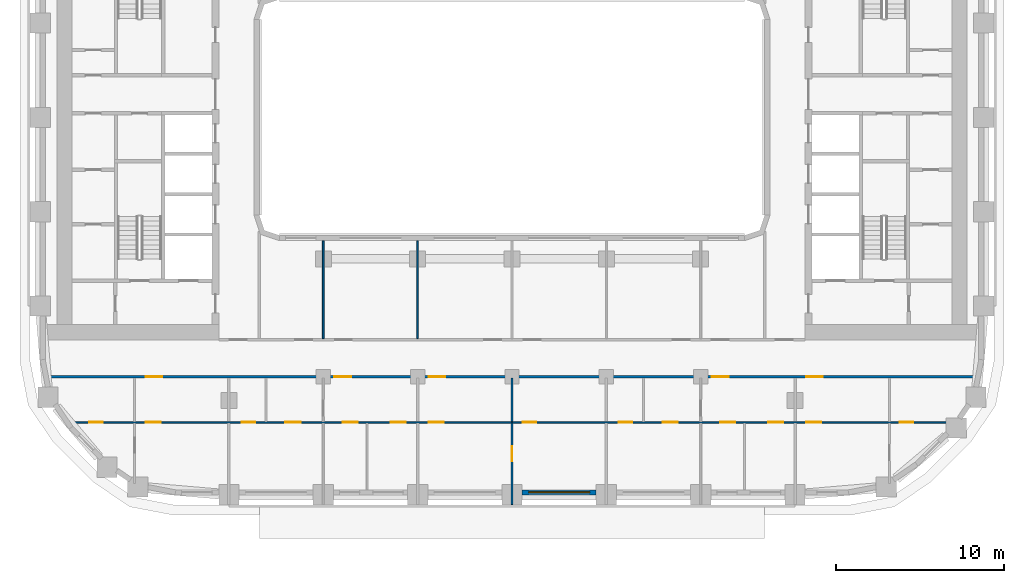
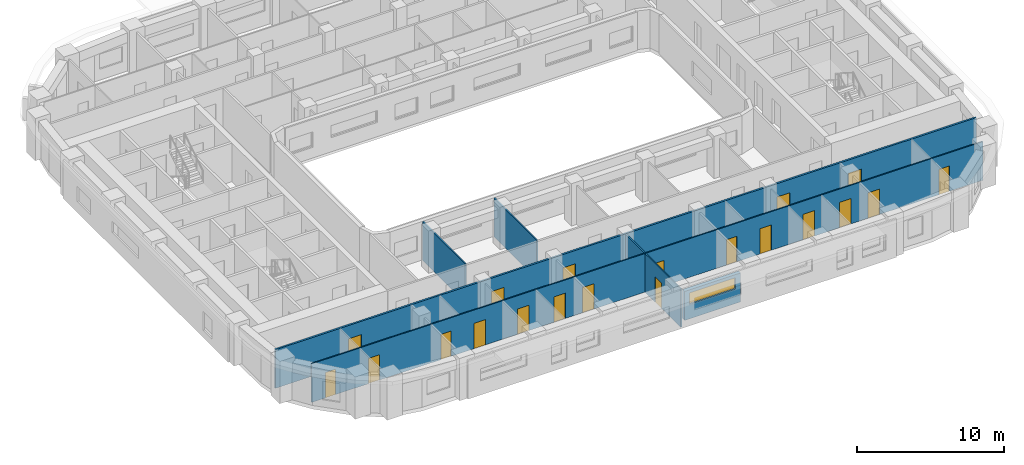
# One storey, part 3 of 21: 20 doors, 7 walls, 1 window, 21 openings.
"""IFC4 building model written with IfcOpenShell, lengths in metres."""

from ifc_helpers import new_model, si_unit, direction, frame, frame_2d, origin, place, context, subcontext, project, spatial, rectangle, extrude, material, layer, layer_set, type_object, element, fill, save


model = new_model("IFC4")

# Units and contexts
model_context = context("Model", 3, precision=1e-05, world=origin(), true_north=direction((0.0, 1.0)))
body_context = subcontext(model_context, "Body", "Model", "MODEL_VIEW")
ifc_project = project(units=[si_unit("LENGTHUNIT", "METRE"), si_unit("AREAUNIT", "SQUARE_METRE"), si_unit("VOLUMEUNIT", "CUBIC_METRE"), si_unit("PLANEANGLEUNIT", "RADIAN"), si_unit("MASSUNIT", "GRAM", prefix="KILO")], contexts=[model_context])

# Site, building, storey
site_placement = place(None, origin())
site = spatial("IfcSite", under=ifc_project, at=site_placement, CompositionType="ELEMENT")
building_placement = place(site_placement, origin())
building = spatial("IfcBuilding", under=site, at=building_placement, Name="Kiln Ring Residences", CompositionType="ELEMENT")
storey_placement = place(building_placement, frame((0.0, 0.0, 114.800048828125)))
storey = spatial("IfcBuildingStorey", under=building, at=storey_placement, Name="L29", CompositionType="ELEMENT", Elevation=114.800048828125)

# Wall, opening, window
ifc_material_1 = material(Name="Brick masonry, dark clay brick", Category="masonry")
ifc_layer_1 = layer(ifc_material_1, 0.300048828125)
ifc_layer_set_1 = layer_set([ifc_layer_1], Name="EW-300 BRICK WALL")
wall_type_1 = type_object("IfcWallType", Name="EW-300 BRICK WALL", PredefinedType="SOLIDWALL", material=ifc_layer_set_1)
wall_1_placement = place(storey_placement, frame((0.60009765625, -22.25, 0.0), z_axis=(0.0, 0.0, 1.0), x_axis=(1.0, 0.0, 0.0)))
wall_1 = element("IfcWall", 1, at=wall_1_placement, inside=storey, type_object=wall_type_1, Name="Facade wall L29 8", PredefinedType="SOLIDWALL", context=body_context, shape_type="SweptSolid", body=[
    extrude(rectangle(XDim=4.39990234375, YDim=0.300048828125, at=frame_2d((2.199951171875, 0.0))), origin(), (0.0, 0.0, 1.0), 2.39990234375),
])
opening_1_placement = place(wall_1_placement, frame((0.39990234375, 0.0, 1.199951171875)))
opening_1 = element("IfcOpeningElement", 2, at=opening_1_placement, cuts=wall_1, Name="Opening W4", PredefinedType="OPENING", context=body_context, shape_type="SweptSolid", body=[
    extrude(rectangle(XDim=3.60009765625, YDim=0.949951171875, at=frame_2d((1.800048828125, 0.47509765625))), frame((0.0, 0.159912109375, 0.0), z_axis=(0.0, -1.0, 0.0), x_axis=(1.0, 0.0, 0.0)), (0.0, 0.0, 1.0), 0.320068359375),
])
ifc_material_2 = material(Name="Aluminium frame with double glazing", Category="aluminium")
window_type = type_object("IfcWindowType", Name="WINDOW 3600 x 950", PartitioningType="SINGLE_PANEL", PredefinedType="WINDOW", material=ifc_material_2)
window_placement = place(opening_1_placement, origin())
window = element("IfcWindow", 3, at=window_placement, inside=storey, type_object=window_type, Name="Window L29 7", OverallHeight=0.949951171875, OverallWidth=3.60009765625, PartitioningType="SINGLE_PANEL", PredefinedType="WINDOW", context=body_context, shape_type="SweptSolid", body=[
    extrude(rectangle(XDim=3.60009765625, YDim=0.949951171875, at=frame_2d((1.800048828125, 0.47509765625))), frame((0.0, 0.030029296875, 0.0), z_axis=(0.0, -1.0, 0.0), x_axis=(1.0, 0.0, 0.0)), (0.0, 0.0, 1.0), 0.06005859375),
])
fill(opening_1, window)

# Wall, openings, doors
ifc_material_3 = material(Name="Gypsum board on steel studs", Category="steel")
ifc_layer_2 = layer(ifc_material_3, 0.10009765625)
ifc_layer_set_2 = layer_set([ifc_layer_2], Name="PARTITION-100")
wall_type_2 = type_object("IfcWallType", Name="PARTITION-100", PredefinedType="PARTITIONING", material=ifc_layer_set_2)
wall_2_placement = place(storey_placement, frame((-26.190185546875, -18.10009765625, 0.0), z_axis=(0.0, 0.0, 1.0), x_axis=(1.0, 0.0, 0.0)))
wall_2 = element("IfcWall", 4, at=wall_2_placement, inside=storey, type_object=wall_type_2, Name="Partition 000", PredefinedType="PARTITIONING", context=body_context, shape_type="SweptSolid", body=[
    extrude(rectangle(XDim=52.630126953125, YDim=0.10009765625, at=frame_2d((26.31494140625, 0.0))), origin(), (0.0, 0.0, 1.0), 3.199951171875),
])
opening_2_placement = place(wall_2_placement, frame((1.090087890625, 0.0, 0.0)))
opening_2 = element("IfcOpeningElement", 5, at=opening_2_placement, cuts=wall_2, Name="Opening L29-D050", PredefinedType="OPENING", context=body_context, shape_type="SweptSolid", body=[
    extrude(rectangle(XDim=0.800048828125, YDim=2.10009765625, at=frame_2d((0.39990234375, 1.050048828125))), frame((0.0, 0.06005859375, 0.0), z_axis=(0.0, -1.0, 0.0), x_axis=(1.0, 0.0, 0.0)), (0.0, 0.0, 1.0), 0.1201171875),
])
opening_3_placement = place(wall_2_placement, frame((4.440185546875, 0.0, 0.0)))
opening_3 = element("IfcOpeningElement", 6, at=opening_3_placement, cuts=wall_2, Name="Opening L29-D051", PredefinedType="OPENING", context=body_context, shape_type="SweptSolid", body=[
    extrude(rectangle(XDim=0.89990234375, YDim=2.10009765625, at=frame_2d((0.449951171875, 1.050048828125))), frame((0.0, 0.06005859375, 0.0), z_axis=(0.0, -1.0, 0.0), x_axis=(1.0, 0.0, 0.0)), (0.0, 0.0, 1.0), 0.1201171875),
])
opening_4_placement = place(wall_2_placement, frame((10.14013671875, 0.0, 0.0)))
opening_4 = element("IfcOpeningElement", 7, at=opening_4_placement, cuts=wall_2, Name="Opening L29-D055", PredefinedType="OPENING", context=body_context, shape_type="SweptSolid", body=[
    extrude(rectangle(XDim=0.800048828125, YDim=2.10009765625, at=frame_2d((0.39990234375, 1.050048828125))), frame((0.0, 0.06005859375, 0.0), z_axis=(0.0, -1.0, 0.0), x_axis=(1.0, 0.0, 0.0)), (0.0, 0.0, 1.0), 0.1201171875),
])
opening_5_placement = place(wall_2_placement, frame((12.739990234375, 0.0, 0.0)))
opening_5 = element("IfcOpeningElement", 8, at=opening_5_placement, cuts=wall_2, Name="Opening L29-D056", PredefinedType="OPENING", context=body_context, shape_type="SweptSolid", body=[
    extrude(rectangle(XDim=0.89990234375, YDim=2.10009765625, at=frame_2d((0.449951171875, 1.050048828125))), frame((0.0, 0.06005859375, 0.0), z_axis=(0.0, -1.0, 0.0), x_axis=(1.0, 0.0, 0.0)), (0.0, 0.0, 1.0), 0.1201171875),
])
opening_6_placement = place(wall_2_placement, frame((16.14013671875, 0.0, 0.0)))
opening_6 = element("IfcOpeningElement", 9, at=opening_6_placement, cuts=wall_2, Name="Opening L29-D057", PredefinedType="OPENING", context=body_context, shape_type="SweptSolid", body=[
    extrude(rectangle(XDim=0.89990234375, YDim=2.10009765625, at=frame_2d((0.449951171875, 1.050048828125))), frame((0.0, 0.06005859375, 0.0), z_axis=(0.0, -1.0, 0.0), x_axis=(1.0, 0.0, 0.0)), (0.0, 0.0, 1.0), 0.1201171875),
])
opening_7_placement = place(wall_2_placement, frame((18.989990234375, 0.0, 0.0)))
opening_7 = element("IfcOpeningElement", 10, at=opening_7_placement, cuts=wall_2, Name="Opening L29-D058", PredefinedType="OPENING", context=body_context, shape_type="SweptSolid", body=[
    extrude(rectangle(XDim=0.89990234375, YDim=2.10009765625, at=frame_2d((0.449951171875, 1.050048828125))), frame((0.0, 0.06005859375, 0.0), z_axis=(0.0, -1.0, 0.0), x_axis=(1.0, 0.0, 0.0)), (0.0, 0.0, 1.0), 0.1201171875),
])
opening_8_placement = place(wall_2_placement, frame((26.840087890625, 0.0, 0.0)))
opening_8 = element("IfcOpeningElement", 11, at=opening_8_placement, cuts=wall_2, Name="Opening L29-D060", PredefinedType="OPENING", context=body_context, shape_type="SweptSolid", body=[
    extrude(rectangle(XDim=0.800048828125, YDim=2.10009765625, at=frame_2d((0.39990234375, 1.050048828125))), frame((0.0, 0.06005859375, 0.0), z_axis=(0.0, -1.0, 0.0), x_axis=(1.0, 0.0, 0.0)), (0.0, 0.0, 1.0), 0.1201171875),
])
opening_9_placement = place(wall_2_placement, frame((21.239990234375, 0.0, 0.0)))
opening_9 = element("IfcOpeningElement", 12, at=opening_9_placement, cuts=wall_2, Name="Opening L29-D061", PredefinedType="OPENING", context=body_context, shape_type="SweptSolid", body=[
    extrude(rectangle(XDim=0.89990234375, YDim=2.10009765625, at=frame_2d((0.449951171875, 1.050048828125))), frame((0.0, 0.06005859375, 0.0), z_axis=(0.0, -1.0, 0.0), x_axis=(1.0, 0.0, 0.0)), (0.0, 0.0, 1.0), 0.1201171875),
])
opening_10_placement = place(wall_2_placement, frame((32.5400390625, 0.0, 0.0)))
opening_10 = element("IfcOpeningElement", 13, at=opening_10_placement, cuts=wall_2, Name="Opening L29-D065", PredefinedType="OPENING", context=body_context, shape_type="SweptSolid", body=[
    extrude(rectangle(XDim=0.800048828125, YDim=2.10009765625, at=frame_2d((0.39990234375, 1.050048828125))), frame((0.0, 0.06005859375, 0.0), z_axis=(0.0, -1.0, 0.0), x_axis=(1.0, 0.0, 0.0)), (0.0, 0.0, 1.0), 0.1201171875),
])
opening_11_placement = place(wall_2_placement, frame((35.14013671875, 0.0, 0.0)))
opening_11 = element("IfcOpeningElement", 14, at=opening_11_placement, cuts=wall_2, Name="Opening L29-D066", PredefinedType="OPENING", context=body_context, shape_type="SweptSolid", body=[
    extrude(rectangle(XDim=0.89990234375, YDim=2.10009765625, at=frame_2d((0.449951171875, 1.050048828125))), frame((0.0, 0.06005859375, 0.0), z_axis=(0.0, -1.0, 0.0), x_axis=(1.0, 0.0, 0.0)), (0.0, 0.0, 1.0), 0.1201171875),
])
opening_12_placement = place(wall_2_placement, frame((38.5400390625, 0.0, 0.0)))
opening_12 = element("IfcOpeningElement", 15, at=opening_12_placement, cuts=wall_2, Name="Opening L29-D067", PredefinedType="OPENING", context=body_context, shape_type="SweptSolid", body=[
    extrude(rectangle(XDim=0.89990234375, YDim=2.10009765625, at=frame_2d((0.449951171875, 1.050048828125))), frame((0.0, 0.06005859375, 0.0), z_axis=(0.0, -1.0, 0.0), x_axis=(1.0, 0.0, 0.0)), (0.0, 0.0, 1.0), 0.1201171875),
])
opening_13_placement = place(wall_2_placement, frame((41.39013671875, 0.0, 0.0)))
opening_13 = element("IfcOpeningElement", 16, at=opening_13_placement, cuts=wall_2, Name="Opening L29-D068", PredefinedType="OPENING", context=body_context, shape_type="SweptSolid", body=[
    extrude(rectangle(XDim=0.89990234375, YDim=2.10009765625, at=frame_2d((0.449951171875, 1.050048828125))), frame((0.0, 0.06005859375, 0.0), z_axis=(0.0, -1.0, 0.0), x_axis=(1.0, 0.0, 0.0)), (0.0, 0.0, 1.0), 0.1201171875),
])
opening_14_placement = place(wall_2_placement, frame((49.2041015625, 0.0, 0.0)))
opening_14 = element("IfcOpeningElement", 17, at=opening_14_placement, cuts=wall_2, Name="Opening L29-D070", PredefinedType="OPENING", context=body_context, shape_type="SweptSolid", body=[
    extrude(rectangle(XDim=0.800048828125, YDim=2.10009765625, at=frame_2d((0.39990234375, 1.050048828125))), frame((0.0, 0.06005859375, 0.0), z_axis=(0.0, -1.0, 0.0), x_axis=(1.0, 0.0, 0.0)), (0.0, 0.0, 1.0), 0.1201171875),
])
opening_15_placement = place(wall_2_placement, frame((43.64013671875, 0.0, 0.0)))
opening_15 = element("IfcOpeningElement", 18, at=opening_15_placement, cuts=wall_2, Name="Opening L29-D071", PredefinedType="OPENING", context=body_context, shape_type="SweptSolid", body=[
    extrude(rectangle(XDim=0.89990234375, YDim=2.10009765625, at=frame_2d((0.449951171875, 1.050048828125))), frame((0.0, 0.06005859375, 0.0), z_axis=(0.0, -1.0, 0.0), x_axis=(1.0, 0.0, 0.0)), (0.0, 0.0, 1.0), 0.1201171875),
])
ifc_material_4 = material(Name="Timber door leaf", Category="wood")
door_type_1 = type_object("IfcDoorType", Name="FLAT-DOOR-800-PL", OperationType="SINGLE_SWING_LEFT", PredefinedType="DOOR", material=ifc_material_4)
door_1_placement = place(opening_2_placement, origin())
door_1 = element("IfcDoor", 19, at=door_1_placement, inside=storey, type_object=door_type_1, Name="Door L29-D050", OperationType="SINGLE_SWING_RIGHT", OverallHeight=2.10009765625, OverallWidth=0.800048828125, PredefinedType="DOOR", context=body_context, shape_type="SweptSolid", body=[
    extrude(rectangle(XDim=0.800048828125, YDim=2.10009765625, at=frame_2d((0.39990234375, 1.050048828125))), frame((0.0, 0.02490234375, 0.0), z_axis=(0.0, -1.0, 0.0), x_axis=(1.0, 0.0, 0.0)), (0.0, 0.0, 1.0), 0.050048828125),
])
fill(opening_2, door_1)
door_2_placement = place(opening_4_placement, origin())
door_2 = element("IfcDoor", 20, at=door_2_placement, inside=storey, type_object=door_type_1, Name="Door L29-D055", OperationType="SINGLE_SWING_LEFT", OverallHeight=2.10009765625, OverallWidth=0.800048828125, PredefinedType="DOOR", context=body_context, shape_type="SweptSolid", body=[
    extrude(rectangle(XDim=0.800048828125, YDim=2.10009765625, at=frame_2d((0.39990234375, 1.050048828125))), frame((0.0, 0.02490234375, 0.0), z_axis=(0.0, -1.0, 0.0), x_axis=(1.0, 0.0, 0.0)), (0.0, 0.0, 1.0), 0.050048828125),
])
fill(opening_4, door_2)
door_3_placement = place(opening_8_placement, origin())
door_3 = element("IfcDoor", 21, at=door_3_placement, inside=storey, type_object=door_type_1, Name="Door L29-D060", OperationType="SINGLE_SWING_RIGHT", OverallHeight=2.10009765625, OverallWidth=0.800048828125, PredefinedType="DOOR", context=body_context, shape_type="SweptSolid", body=[
    extrude(rectangle(XDim=0.800048828125, YDim=2.10009765625, at=frame_2d((0.39990234375, 1.050048828125))), frame((0.0, 0.02490234375, 0.0), z_axis=(0.0, -1.0, 0.0), x_axis=(1.0, 0.0, 0.0)), (0.0, 0.0, 1.0), 0.050048828125),
])
fill(opening_8, door_3)
door_4_placement = place(opening_10_placement, origin())
door_4 = element("IfcDoor", 22, at=door_4_placement, inside=storey, type_object=door_type_1, Name="Door L29-D065", OperationType="SINGLE_SWING_LEFT", OverallHeight=2.10009765625, OverallWidth=0.800048828125, PredefinedType="DOOR", context=body_context, shape_type="SweptSolid", body=[
    extrude(rectangle(XDim=0.800048828125, YDim=2.10009765625, at=frame_2d((0.39990234375, 1.050048828125))), frame((0.0, 0.02490234375, 0.0), z_axis=(0.0, -1.0, 0.0), x_axis=(1.0, 0.0, 0.0)), (0.0, 0.0, 1.0), 0.050048828125),
])
fill(opening_10, door_4)
door_5_placement = place(opening_14_placement, origin())
door_5 = element("IfcDoor", 23, at=door_5_placement, inside=storey, type_object=door_type_1, Name="Door L29-D070", OperationType="SINGLE_SWING_RIGHT", OverallHeight=2.10009765625, OverallWidth=0.800048828125, PredefinedType="DOOR", context=body_context, shape_type="SweptSolid", body=[
    extrude(rectangle(XDim=0.800048828125, YDim=2.10009765625, at=frame_2d((0.39990234375, 1.050048828125))), frame((0.0, 0.02490234375, 0.0), z_axis=(0.0, -1.0, 0.0), x_axis=(1.0, 0.0, 0.0)), (0.0, 0.0, 1.0), 0.050048828125),
])
fill(opening_14, door_5)
ifc_material_5 = material(Name="Timber door leaf", Category="wood")
door_type_2 = type_object("IfcDoorType", Name="FLAT-DOOR-900-PL", OperationType="SINGLE_SWING_LEFT", PredefinedType="DOOR", material=ifc_material_5)
door_6_placement = place(opening_3_placement, origin())
door_6 = element("IfcDoor", 24, at=door_6_placement, inside=storey, type_object=door_type_2, Name="Door L29-D051", OperationType="SINGLE_SWING_LEFT", OverallHeight=2.10009765625, OverallWidth=0.89990234375, PredefinedType="DOOR", context=body_context, shape_type="SweptSolid", body=[
    extrude(rectangle(XDim=0.89990234375, YDim=2.10009765625, at=frame_2d((0.449951171875, 1.050048828125))), frame((0.0, 0.02490234375, 0.0), z_axis=(0.0, -1.0, 0.0), x_axis=(1.0, 0.0, 0.0)), (0.0, 0.0, 1.0), 0.050048828125),
])
fill(opening_3, door_6)
door_7_placement = place(opening_5_placement, origin())
door_7 = element("IfcDoor", 25, at=door_7_placement, inside=storey, type_object=door_type_2, Name="Door L29-D056", OperationType="SINGLE_SWING_RIGHT", OverallHeight=2.10009765625, OverallWidth=0.89990234375, PredefinedType="DOOR", context=body_context, shape_type="SweptSolid", body=[
    extrude(rectangle(XDim=0.89990234375, YDim=2.10009765625, at=frame_2d((0.449951171875, 1.050048828125))), frame((0.0, 0.02490234375, 0.0), z_axis=(0.0, -1.0, 0.0), x_axis=(1.0, 0.0, 0.0)), (0.0, 0.0, 1.0), 0.050048828125),
])
fill(opening_5, door_7)
door_8_placement = place(opening_6_placement, origin())
door_8 = element("IfcDoor", 26, at=door_8_placement, inside=storey, type_object=door_type_2, Name="Door L29-D057", OperationType="SINGLE_SWING_RIGHT", OverallHeight=2.10009765625, OverallWidth=0.89990234375, PredefinedType="DOOR", context=body_context, shape_type="SweptSolid", body=[
    extrude(rectangle(XDim=0.89990234375, YDim=2.10009765625, at=frame_2d((0.449951171875, 1.050048828125))), frame((0.0, 0.02490234375, 0.0), z_axis=(0.0, -1.0, 0.0), x_axis=(1.0, 0.0, 0.0)), (0.0, 0.0, 1.0), 0.050048828125),
])
fill(opening_6, door_8)
door_9_placement = place(opening_7_placement, origin())
door_9 = element("IfcDoor", 27, at=door_9_placement, inside=storey, type_object=door_type_2, Name="Door L29-D058", OperationType="SINGLE_SWING_RIGHT", OverallHeight=2.10009765625, OverallWidth=0.89990234375, PredefinedType="DOOR", context=body_context, shape_type="SweptSolid", body=[
    extrude(rectangle(XDim=0.89990234375, YDim=2.10009765625, at=frame_2d((0.449951171875, 1.050048828125))), frame((0.0, 0.02490234375, 0.0), z_axis=(0.0, -1.0, 0.0), x_axis=(1.0, 0.0, 0.0)), (0.0, 0.0, 1.0), 0.050048828125),
])
fill(opening_7, door_9)
door_10_placement = place(opening_9_placement, origin())
door_10 = element("IfcDoor", 28, at=door_10_placement, inside=storey, type_object=door_type_2, Name="Door L29-D061", OperationType="SINGLE_SWING_LEFT", OverallHeight=2.10009765625, OverallWidth=0.89990234375, PredefinedType="DOOR", context=body_context, shape_type="SweptSolid", body=[
    extrude(rectangle(XDim=0.89990234375, YDim=2.10009765625, at=frame_2d((0.449951171875, 1.050048828125))), frame((0.0, 0.02490234375, 0.0), z_axis=(0.0, -1.0, 0.0), x_axis=(1.0, 0.0, 0.0)), (0.0, 0.0, 1.0), 0.050048828125),
])
fill(opening_9, door_10)
door_11_placement = place(opening_11_placement, origin())
door_11 = element("IfcDoor", 29, at=door_11_placement, inside=storey, type_object=door_type_2, Name="Door L29-D066", OperationType="SINGLE_SWING_RIGHT", OverallHeight=2.10009765625, OverallWidth=0.89990234375, PredefinedType="DOOR", context=body_context, shape_type="SweptSolid", body=[
    extrude(rectangle(XDim=0.89990234375, YDim=2.10009765625, at=frame_2d((0.449951171875, 1.050048828125))), frame((0.0, 0.02490234375, 0.0), z_axis=(0.0, -1.0, 0.0), x_axis=(1.0, 0.0, 0.0)), (0.0, 0.0, 1.0), 0.050048828125),
])
fill(opening_11, door_11)
door_12_placement = place(opening_12_placement, origin())
door_12 = element("IfcDoor", 30, at=door_12_placement, inside=storey, type_object=door_type_2, Name="Door L29-D067", OperationType="SINGLE_SWING_RIGHT", OverallHeight=2.10009765625, OverallWidth=0.89990234375, PredefinedType="DOOR", context=body_context, shape_type="SweptSolid", body=[
    extrude(rectangle(XDim=0.89990234375, YDim=2.10009765625, at=frame_2d((0.449951171875, 1.050048828125))), frame((0.0, 0.02490234375, 0.0), z_axis=(0.0, -1.0, 0.0), x_axis=(1.0, 0.0, 0.0)), (0.0, 0.0, 1.0), 0.050048828125),
])
fill(opening_12, door_12)
door_13_placement = place(opening_13_placement, origin())
door_13 = element("IfcDoor", 31, at=door_13_placement, inside=storey, type_object=door_type_2, Name="Door L29-D068", OperationType="SINGLE_SWING_RIGHT", OverallHeight=2.10009765625, OverallWidth=0.89990234375, PredefinedType="DOOR", context=body_context, shape_type="SweptSolid", body=[
    extrude(rectangle(XDim=0.89990234375, YDim=2.10009765625, at=frame_2d((0.449951171875, 1.050048828125))), frame((0.0, 0.02490234375, 0.0), z_axis=(0.0, -1.0, 0.0), x_axis=(1.0, 0.0, 0.0)), (0.0, 0.0, 1.0), 0.050048828125),
])
fill(opening_13, door_13)
door_14_placement = place(opening_15_placement, origin())
door_14 = element("IfcDoor", 32, at=door_14_placement, inside=storey, type_object=door_type_2, Name="Door L29-D071", OperationType="SINGLE_SWING_LEFT", OverallHeight=2.10009765625, OverallWidth=0.89990234375, PredefinedType="DOOR", context=body_context, shape_type="SweptSolid", body=[
    extrude(rectangle(XDim=0.89990234375, YDim=2.10009765625, at=frame_2d((0.449951171875, 1.050048828125))), frame((0.0, 0.02490234375, 0.0), z_axis=(0.0, -1.0, 0.0), x_axis=(1.0, 0.0, 0.0)), (0.0, 0.0, 1.0), 0.050048828125),
])
fill(opening_15, door_14)

# Walls
for number, where, z_axis, x_axis, name in (
    (33, (-11.199951171875, -13.125, 0.0), (0.0, 0.0, 1.0), (0.0, 1.0, 0.0), "Partition 021"),
    (34, (-5.60009765625, -13.125, 0.0), (0.0, 0.0, 1.0), (0.0, 1.0, 0.0), "Partition 027"),
):
    element("IfcWall", number, at=place(storey_placement, frame(where, z_axis=z_axis, x_axis=x_axis)), inside=storey, type_object=wall_type_2, Name=name, PredefinedType="PARTITIONING", context=body_context, shape_type="SweptSolid", body=[
        extrude(rectangle(XDim=5.804931640625, YDim=0.10009765625, at=frame_2d((2.90234375, 0.0))), origin(), (0.0, 0.0, 1.0), 3.199951171875),
    ])

# Wall, opening, door
wall_3_placement = place(storey_placement, frame((0.0, -22.97998046875, 0.0), z_axis=(0.0, 0.0, 1.0), x_axis=(0.0, 1.0, 0.0)))
wall_3 = element("IfcWall", 35, at=wall_3_placement, inside=storey, type_object=wall_type_2, Name="Partition 035", PredefinedType="PARTITIONING", context=body_context, shape_type="SweptSolid", body=[
    extrude(rectangle(XDim=4.830078125, YDim=0.10009765625, at=frame_2d((2.4150390625, 0.0))), origin(), (0.0, 0.0, 1.0), 3.199951171875),
])
opening_16_placement = place(wall_3_placement, frame((2.570068359375, 0.0, 0.0)))
opening_16 = element("IfcOpeningElement", 36, at=opening_16_placement, cuts=wall_3, Name="Opening L29-D062", PredefinedType="OPENING", context=body_context, shape_type="SweptSolid", body=[
    extrude(rectangle(XDim=0.89990234375, YDim=2.10009765625, at=frame_2d((0.449951171875, 1.050048828125))), frame((0.0, 0.06005859375, 0.0), z_axis=(0.0, -1.0, 0.0), x_axis=(1.0, 0.0, 0.0)), (0.0, 0.0, 1.0), 0.1201171875),
])
door_15_placement = place(opening_16_placement, origin())
door_15 = element("IfcDoor", 37, at=door_15_placement, inside=storey, type_object=door_type_2, Name="Door L29-D062", OperationType="SINGLE_SWING_RIGHT", OverallHeight=2.10009765625, OverallWidth=0.89990234375, PredefinedType="DOOR", context=body_context, shape_type="SweptSolid", body=[
    extrude(rectangle(XDim=0.89990234375, YDim=2.10009765625, at=frame_2d((0.449951171875, 1.050048828125))), frame((0.0, 0.02490234375, 0.0), z_axis=(0.0, -1.0, 0.0), x_axis=(1.0, 0.0, 0.0)), (0.0, 0.0, 1.0), 0.050048828125),
])
fill(opening_16, door_15)

# Wall
wall_4_placement = place(storey_placement, frame((0.0, -18.050048828125, 0.0), z_axis=(0.0, 0.0, 1.0), x_axis=(0.0, 1.0, 0.0)))
element("IfcWall", 38, at=wall_4_placement, inside=storey, type_object=wall_type_2, Name="Partition 036", PredefinedType="PARTITIONING", context=body_context, shape_type="SweptSolid", body=[
    extrude(rectangle(XDim=2.574951171875, YDim=0.10009765625, at=frame_2d((1.28759765625, 0.0))), origin(), (0.0, 0.0, 1.0), 3.199951171875),
])

# Wall, openings, doors
ifc_material_6 = material(Name="Brick masonry partition", Category="masonry")
ifc_layer_3 = layer(ifc_material_6, 0.14990234375)
ifc_layer_set_3 = layer_set([ifc_layer_3], Name="PARTITION-150-ei60")
wall_type_3 = type_object("IfcWallType", Name="PARTITION-150-ei60", PredefinedType="PARTITIONING", material=ifc_layer_set_3)
wall_5_placement = place(storey_placement, frame((-27.48388671875, -15.39990234375, 0.0), z_axis=(0.0, 0.0, 1.0), x_axis=(1.0, 0.0, 0.0)))
wall_5 = element("IfcWall", 39, at=wall_5_placement, inside=storey, type_object=wall_type_3, Name="Partition 001", PredefinedType="PARTITIONING", context=body_context, shape_type="SweptSolid", body=[
    extrude(rectangle(XDim=54.9677734375, YDim=0.14990234375, at=frame_2d((27.48388671875, 0.0))), origin(), (0.0, 0.0, 1.0), 3.199951171875),
])
opening_17_placement = place(wall_5_placement, frame((5.73388671875, 0.0, 0.0)))
opening_17 = element("IfcOpeningElement", 40, at=opening_17_placement, cuts=wall_5, Name="Opening L29-D049", PredefinedType="OPENING", context=body_context, shape_type="SweptSolid", body=[
    extrude(rectangle(XDim=1.0, YDim=2.10009765625, at=frame_2d((0.5, 1.050048828125))), frame((0.0, 0.0849609375, 0.0), z_axis=(0.0, -1.0, 0.0), x_axis=(1.0, 0.0, 0.0)), (0.0, 0.0, 1.0), 0.169921875),
])
opening_18_placement = place(wall_5_placement, frame((16.933837890625, 0.0, 0.0)))
opening_18 = element("IfcOpeningElement", 41, at=opening_18_placement, cuts=wall_5, Name="Opening L29-D053", PredefinedType="OPENING", context=body_context, shape_type="SweptSolid", body=[
    extrude(rectangle(XDim=1.0, YDim=2.10009765625, at=frame_2d((0.5, 1.050048828125))), frame((0.0, 0.0849609375, 0.0), z_axis=(0.0, -1.0, 0.0), x_axis=(1.0, 0.0, 0.0)), (0.0, 0.0, 1.0), 0.169921875),
])
opening_19_placement = place(wall_5_placement, frame((22.53369140625, 0.0, 0.0)))
opening_19 = element("IfcOpeningElement", 42, at=opening_19_placement, cuts=wall_5, Name="Opening L29-D059", PredefinedType="OPENING", context=body_context, shape_type="SweptSolid", body=[
    extrude(rectangle(XDim=1.0, YDim=2.10009765625, at=frame_2d((0.5, 1.050048828125))), frame((0.0, 0.0849609375, 0.0), z_axis=(0.0, -1.0, 0.0), x_axis=(1.0, 0.0, 0.0)), (0.0, 0.0, 1.0), 0.169921875),
])
opening_20_placement = place(wall_5_placement, frame((39.333740234375, 0.0, 0.0)))
opening_20 = element("IfcOpeningElement", 43, at=opening_20_placement, cuts=wall_5, Name="Opening L29-D063", PredefinedType="OPENING", context=body_context, shape_type="SweptSolid", body=[
    extrude(rectangle(XDim=1.0, YDim=2.10009765625, at=frame_2d((0.5, 1.050048828125))), frame((0.0, 0.0849609375, 0.0), z_axis=(0.0, -1.0, 0.0), x_axis=(1.0, 0.0, 0.0)), (0.0, 0.0, 1.0), 0.169921875),
])
opening_21_placement = place(wall_5_placement, frame((44.933837890625, 0.0, 0.0)))
opening_21 = element("IfcOpeningElement", 44, at=opening_21_placement, cuts=wall_5, Name="Opening L29-D069", PredefinedType="OPENING", context=body_context, shape_type="SweptSolid", body=[
    extrude(rectangle(XDim=1.0, YDim=2.10009765625, at=frame_2d((0.5, 1.050048828125))), frame((0.0, 0.0849609375, 0.0), z_axis=(0.0, -1.0, 0.0), x_axis=(1.0, 0.0, 0.0)), (0.0, 0.0, 1.0), 0.169921875),
])
ifc_material_7 = material(Name="Steel faced fire door leaf", Category="steel")
door_type_3 = type_object("IfcDoorType", Name="FLAT-DOOR-1000-FR", OperationType="SINGLE_SWING_LEFT", PredefinedType="DOOR", material=ifc_material_7)
door_16_placement = place(opening_17_placement, origin())
door_16 = element("IfcDoor", 45, at=door_16_placement, inside=storey, type_object=door_type_3, Name="Door L29-D049", OperationType="SINGLE_SWING_LEFT", OverallHeight=2.10009765625, OverallWidth=1.0, PredefinedType="DOOR", context=body_context, shape_type="SweptSolid", body=[
    extrude(rectangle(XDim=1.0, YDim=2.10009765625, at=frame_2d((0.5, 1.050048828125))), frame((0.0, 0.02490234375, 0.0), z_axis=(0.0, -1.0, 0.0), x_axis=(1.0, 0.0, 0.0)), (0.0, 0.0, 1.0), 0.050048828125),
])
fill(opening_17, door_16)
door_17_placement = place(opening_18_placement, origin())
door_17 = element("IfcDoor", 46, at=door_17_placement, inside=storey, type_object=door_type_3, Name="Door L29-D053", OperationType="SINGLE_SWING_LEFT", OverallHeight=2.10009765625, OverallWidth=1.0, PredefinedType="DOOR", context=body_context, shape_type="SweptSolid", body=[
    extrude(rectangle(XDim=1.0, YDim=2.10009765625, at=frame_2d((0.5, 1.050048828125))), frame((0.0, 0.02490234375, 0.0), z_axis=(0.0, -1.0, 0.0), x_axis=(1.0, 0.0, 0.0)), (0.0, 0.0, 1.0), 0.050048828125),
])
fill(opening_18, door_17)
door_18_placement = place(opening_19_placement, origin())
door_18 = element("IfcDoor", 47, at=door_18_placement, inside=storey, type_object=door_type_3, Name="Door L29-D059", OperationType="SINGLE_SWING_LEFT", OverallHeight=2.10009765625, OverallWidth=1.0, PredefinedType="DOOR", context=body_context, shape_type="SweptSolid", body=[
    extrude(rectangle(XDim=1.0, YDim=2.10009765625, at=frame_2d((0.5, 1.050048828125))), frame((0.0, 0.02490234375, 0.0), z_axis=(0.0, -1.0, 0.0), x_axis=(1.0, 0.0, 0.0)), (0.0, 0.0, 1.0), 0.050048828125),
])
fill(opening_19, door_18)
door_19_placement = place(opening_20_placement, origin())
door_19 = element("IfcDoor", 48, at=door_19_placement, inside=storey, type_object=door_type_3, Name="Door L29-D063", OperationType="SINGLE_SWING_LEFT", OverallHeight=2.10009765625, OverallWidth=1.0, PredefinedType="DOOR", context=body_context, shape_type="SweptSolid", body=[
    extrude(rectangle(XDim=1.0, YDim=2.10009765625, at=frame_2d((0.5, 1.050048828125))), frame((0.0, 0.02490234375, 0.0), z_axis=(0.0, -1.0, 0.0), x_axis=(1.0, 0.0, 0.0)), (0.0, 0.0, 1.0), 0.050048828125),
])
fill(opening_20, door_19)
door_20_placement = place(opening_21_placement, origin())
door_20 = element("IfcDoor", 49, at=door_20_placement, inside=storey, type_object=door_type_3, Name="Door L29-D069", OperationType="SINGLE_SWING_LEFT", OverallHeight=2.10009765625, OverallWidth=1.0, PredefinedType="DOOR", context=body_context, shape_type="SweptSolid", body=[
    extrude(rectangle(XDim=1.0, YDim=2.10009765625, at=frame_2d((0.5, 1.050048828125))), frame((0.0, 0.02490234375, 0.0), z_axis=(0.0, -1.0, 0.0), x_axis=(1.0, 0.0, 0.0)), (0.0, 0.0, 1.0), 0.050048828125),
])
fill(opening_21, door_20)

save(model, "model.ifc")
